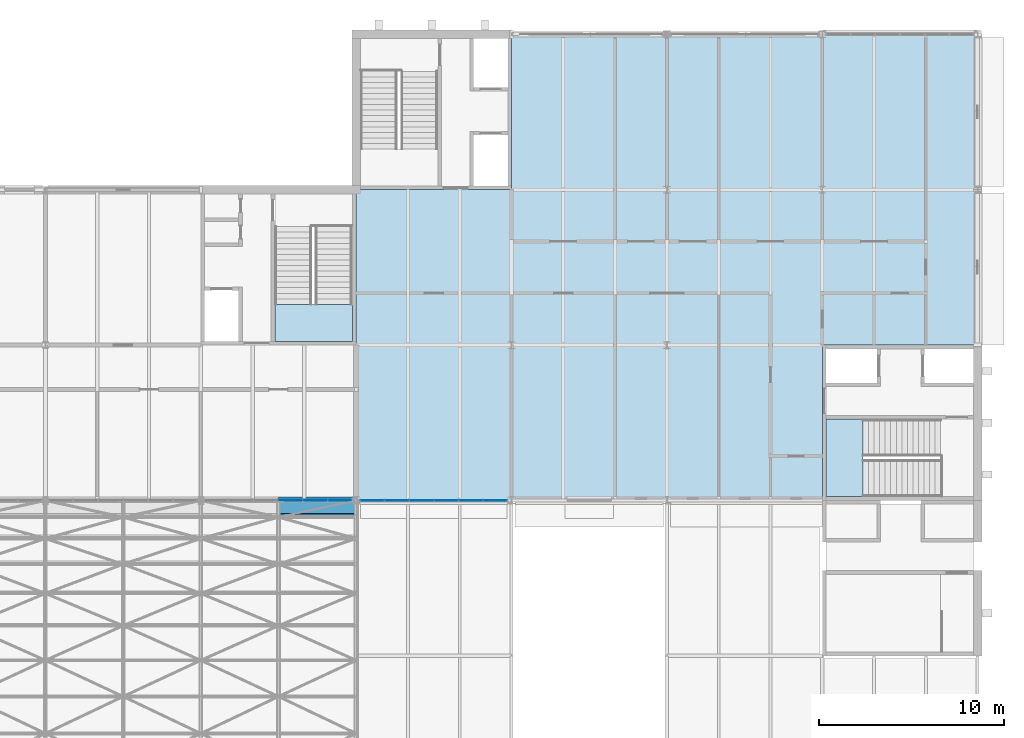
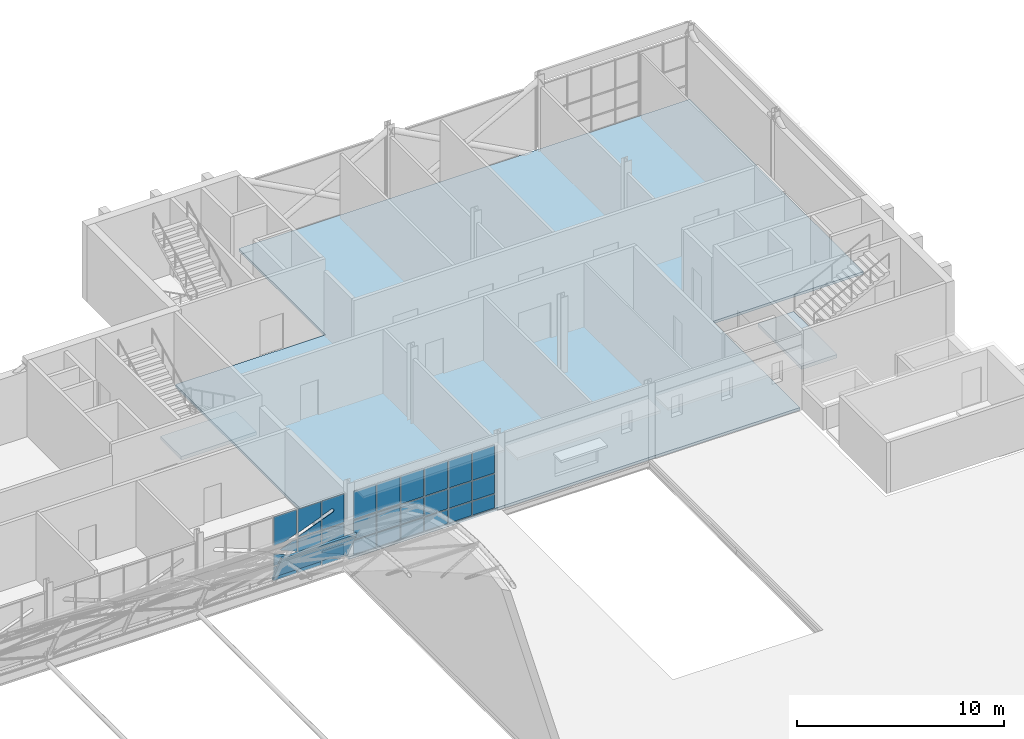
# One storey, part 79 of 121: 31 plates, 3 slabs, 4 elements without a shape of their own.
"""IFC4 building model written with IfcOpenShell, lengths in metres."""

from ifc_helpers import new_model, si_unit, direction, frame, origin, origin_2d, place, context, subcontext, project, spatial, polyline, rectangle, outline, extrude, material, layer, layer_set, type_object, element, aggregate, save


model = new_model("IFC4")

# Units and contexts
model_context = context("Model", 3, precision=1e-05, world=origin(), true_north=direction((0.0, 1.0)))
body_context = subcontext(model_context, "Body", "Model", "MODEL_VIEW")
ifc_project = project(units=[si_unit("LENGTHUNIT", "METRE"), si_unit("AREAUNIT", "SQUARE_METRE"), si_unit("VOLUMEUNIT", "CUBIC_METRE"), si_unit("PLANEANGLEUNIT", "RADIAN"), si_unit("MASSUNIT", "GRAM", prefix="KILO")], contexts=[model_context])

# Site, building, storey
site_placement = place(None, origin())
site = spatial("IfcSite", under=ifc_project, at=site_placement, CompositionType="ELEMENT")
building_placement = place(site_placement, origin())
building = spatial("IfcBuilding", under=site, at=building_placement, Name="Ardhachandra Cancer Care Centre", CompositionType="ELEMENT")
storey_placement = place(building_placement, frame((0.0, 0.0, 9.0)))
storey = spatial("IfcBuildingStorey", under=building, at=storey_placement, Name="L02", CompositionType="ELEMENT", Elevation=9.0)

# Slab
ifc_material_1 = material(Name="Composite slab Concrete M30 on steel deck", Category="concrete")
ifc_layer_1 = layer(ifc_material_1, 0.14990234375)
ifc_layer_set_1 = layer_set([ifc_layer_1], Name="Composite slab Concrete M30 on steel deck")
slab_type_1 = type_object("IfcSlabType", Name="Composite floor slab 150", PredefinedType="FLOOR", material=ifc_layer_set_1)
slab_1_placement = place(storey_placement, frame((0.0, 0.0, -0.14990234375)))
element("IfcSlab", 1, at=slab_1_placement, inside=storey, type_object=slab_type_1, Name="Floor slab V5", PredefinedType="FLOOR", context=body_context, shape_type="SweptSolid", body=[
    extrude(outline(polyline([(120.0, 105.0), (120.0, 96.60009765625), (111.60009765625, 96.60009765625), (111.60009765625, 88.199951171875), (111.60009765625, 79.922119140625), (111.60009765625, 79.800048828125), (136.800048828125, 79.800048828125), (136.800048828125, 88.199951171875), (145.199951171875, 88.199951171875), (145.199951171875, 105.0), (120.0, 105.0)])), origin(), (0.0, 0.0, 1.0), 0.14990234375),
])

# Curtain wall, plates
ifc_material_2 = material(Name="Aluminium extrusion", Category="aluminium")
ifc_layer_2 = layer(ifc_material_2, 0.14990234375)
ifc_layer_set_2 = layer_set([ifc_layer_2], Name="Aluminium extrusion")
curtain_wall_type = type_object("IfcCurtainWallType", Name="Curtain wall run", PredefinedType="NOTDEFINED", material=ifc_layer_set_2)
curtain_wall_1_placement = place(storey_placement, origin())
curtain_wall_1 = element("IfcCurtainWall", 2, at=curtain_wall_1_placement, inside=storey, type_object=curtain_wall_type, Name="Curtain wall L02 s/0103200_0079800", PredefinedType="NOTDEFINED")
ifc_material_3 = material(Name="Low-iron double-glazed unit")
ifc_layer_3 = layer(ifc_material_3, 0.028076171875)
ifc_layer_set_3 = layer_set([ifc_layer_3], Name="Low-iron double-glazed unit")
plate_type_1 = type_object("IfcPlateType", Name="Curtain wall glazing 28", PredefinedType="CURTAIN_PANEL", material=ifc_layer_set_3)
plate_1_placement = place(storey_placement, frame((107.40625, 79.800048828125, 0.06005859375), z_axis=(0.0, 1.0, 0.0), x_axis=(0.0, 0.0, 1.0)))
plate_1 = element("IfcPlate", 3, at=plate_1_placement, type_object=plate_type_1, Name="CW panel 4.1", PredefinedType="CURTAIN_PANEL", context=body_context, shape_type="SweptSolid", body=[
    extrude(outline(polyline([(0.0, 0.0), (0.81005859375, 0.0), (0.81005859375, 1.281982421875), (0.0, 1.281982421875), (0.0, 0.0)])), origin(), (0.0, 0.0, 1.0), 0.028076171875),
])
plate_2_placement = place(storey_placement, frame((108.688232421875, 79.800048828125, 0.929931640625), z_axis=(0.0, 1.0, 0.0), x_axis=(-1.0, 0.0, 0.0)))
plate_2 = element("IfcPlate", 4, at=plate_2_placement, type_object=plate_type_1, Name="CW panel 4.2", PredefinedType="CURTAIN_PANEL", context=body_context, shape_type="SweptSolid", body=[
    extrude(outline(polyline([(0.0, 0.0), (1.281982421875, 0.0), (1.281982421875, 0.72900390625), (0.0, 0.182861328125), (0.0, 0.0)])), origin(), (0.0, 0.0, 1.0), 0.028076171875),
])
plate_3_placement = place(storey_placement, frame((108.688232421875, 79.800048828125, 2.070068359375), z_axis=(0.0, 1.0, 0.0), x_axis=(0.0, 0.0, -1.0)))
plate_3 = element("IfcPlate", 5, at=plate_3_placement, type_object=plate_type_1, Name="CW panel 4.2", PredefinedType="CURTAIN_PANEL", context=body_context, shape_type="SweptSolid", body=[
    extrude(outline(polyline([(0.0, 0.0), (0.70263671875, 0.0), (0.285888671875, 0.97802734375), (0.0, 0.24462890625), (0.0, 0.0)])), frame((0.0, 0.0, -0.028076171875)), (0.0, 0.0, 1.0), 0.028076171875),
])
plate_4_placement = place(storey_placement, frame((107.40625, 79.800048828125, 2.1298828125), z_axis=(0.0, 1.0, 0.0), x_axis=(0.0, 0.0, 1.0)))
plate_4 = element("IfcPlate", 6, at=plate_4_placement, type_object=plate_type_1, Name="CW panel 4.3", PredefinedType="CURTAIN_PANEL", context=body_context, shape_type="SweptSolid", body=[
    extrude(outline(polyline([(0.0, 0.0), (1.696044921875, 0.0), (1.696044921875, 1.281982421875), (0.286865234375, 1.281982421875), (0.0, 0.546142578125), (0.0, 0.0)])), origin(), (0.0, 0.0, 1.0), 0.028076171875),
])
plate_5_placement = place(storey_placement, frame((110.030517578125, 79.800048828125, 0.06005859375), z_axis=(0.0, 1.0, 0.0), x_axis=(-1.0, 0.0, 0.0)))
plate_5 = element("IfcPlate", 7, at=plate_5_placement, type_object=plate_type_1, Name="CW panel 5.1", PredefinedType="CURTAIN_PANEL", context=body_context, shape_type="SweptSolid", body=[
    extrude(outline(polyline([(0.0, 0.0), (1.2822265625, 0.0), (1.2822265625, 0.81005859375), (0.77197265625, 0.81005859375), (0.0, 0.481201171875), (0.0, 0.0)])), origin(), (0.0, 0.0, 1.0), 0.028076171875),
])
plate_6_placement = place(storey_placement, frame((108.748291015625, 79.800048828125, 2.070068359375), z_axis=(0.0, 1.0, 0.0), x_axis=(1.0, 0.0, 0.0)))
plate_6 = element("IfcPlate", 8, at=plate_6_placement, type_object=plate_type_1, Name="CW panel 5.2", PredefinedType="CURTAIN_PANEL", context=body_context, shape_type="SweptSolid", body=[
    extrude(outline(polyline([(0.0, 0.0), (1.2822265625, 0.0), (1.2822265625, 1.14013671875), (0.96728515625, 1.14013671875), (0.0, 0.72802734375), (0.0, 0.0)])), origin(), (0.0, 0.0, 1.0), 0.028076171875),
])
plate_7_placement = place(storey_placement, frame((110.030517578125, 79.800048828125, 2.1298828125), z_axis=(0.0, 1.0, 0.0), x_axis=(-1.0, 0.0, 0.0)))
plate_7 = element("IfcPlate", 9, at=plate_7_placement, type_object=plate_type_1, Name="CW panel 5.3", PredefinedType="CURTAIN_PANEL", context=body_context, shape_type="SweptSolid", body=[
    extrude(outline(polyline([(0.0, 0.0), (1.2822265625, 0.0), (1.2822265625, 0.058837890625), (0.0, 0.55859375), (0.0, 0.0)])), origin(), (0.0, 0.0, 1.0), 0.028076171875),
])
plate_8_placement = place(storey_placement, frame((108.748291015625, 79.800048828125, 3.825927734375), z_axis=(0.0, 1.0, 0.0), x_axis=(1.0, 0.0, 0.0)))
plate_8 = element("IfcPlate", 10, at=plate_8_placement, type_object=plate_type_1, Name="CW panel 5.3", PredefinedType="CURTAIN_PANEL", context=body_context, shape_type="SweptSolid", body=[
    extrude(outline(polyline([(0.0, 0.0), (1.2822265625, 0.0), (1.2822265625, 0.885986328125), (0.0, 1.3857421875), (0.0, 0.0)])), frame((0.0, 0.0, -0.028076171875)), (0.0, 0.0, 1.0), 0.028076171875),
])
plate_9_placement = place(storey_placement, frame((110.09033203125, 79.800048828125, 0.8701171875), z_axis=(0.0, 1.0, 0.0), x_axis=(1.0, 0.0, 0.0)))
plate_9 = element("IfcPlate", 11, at=plate_9_placement, type_object=plate_type_1, Name="CW panel 6.1", PredefinedType="CURTAIN_PANEL", context=body_context, shape_type="SweptSolid", body=[
    extrude(outline(polyline([(0.0, 0.0), (1.252197265625, 0.0), (1.252197265625, 0.633056640625), (0.0, 0.099853515625), (0.0, 0.0)])), origin(), (0.0, 0.0, 1.0), 0.028076171875),
])
plate_10_placement = place(storey_placement, frame((110.09033203125, 79.800048828125, 0.06005859375), z_axis=(0.0, 1.0, 0.0), x_axis=(0.0, 0.0, 1.0)))
plate_10 = element("IfcPlate", 12, at=plate_10_placement, type_object=plate_type_1, Name="CW panel 6.1", PredefinedType="CURTAIN_PANEL", context=body_context, shape_type="SweptSolid", body=[
    extrude(outline(polyline([(0.0, 0.0), (0.45556640625, 0.0), (0.0, 1.06982421875), (0.0, 0.0)])), frame((0.0, 0.0, -0.028076171875)), (0.0, 0.0, 1.0), 0.028076171875),
])
plate_11_placement = place(storey_placement, frame((110.09033203125, 79.800048828125, 0.929931640625), z_axis=(0.0, 1.0, 0.0), x_axis=(0.0, 0.0, 1.0)))
plate_11 = element("IfcPlate", 13, at=plate_11_placement, type_object=plate_type_1, Name="CW panel 6.2", PredefinedType="CURTAIN_PANEL", context=body_context, shape_type="SweptSolid", body=[
    extrude(outline(polyline([(0.0, 0.0), (1.14013671875, 0.0), (1.14013671875, 1.252197265625), (0.0, 1.252197265625), (0.0, 0.0)])), origin(), (0.0, 0.0, 1.0), 0.028076171875),
])
plate_12_placement = place(storey_placement, frame((110.09033203125, 79.800048828125, 3.825927734375), z_axis=(0.0, 1.0, 0.0), x_axis=(1.0, 0.0, 0.0)))
plate_12 = element("IfcPlate", 14, at=plate_12_placement, type_object=plate_type_1, Name="CW panel 6.3", PredefinedType="CURTAIN_PANEL", context=body_context, shape_type="SweptSolid", body=[
    extrude(outline(polyline([(0.0, 0.0), (1.252197265625, 0.0), (1.252197265625, 1.696044921875), (0.0, 1.696044921875), (0.0, 1.114013671875), (0.61181640625, 0.875), (0.6396484375, 0.855224609375), (0.660888671875, 0.827880859375), (0.673095703125, 0.7958984375), (0.67578125, 0.77294921875), (0.674072265625, 0.750244140625), (0.667724609375, 0.72802734375), (0.657470703125, 0.70751953125), (0.634765625, 0.681640625), (0.615966796875, 0.66845703125), (0.594970703125, 0.6591796875), (0.572509765625, 0.654296875), (0.538330078125, 0.6552734375), (0.51611328125, 0.661376953125), (0.0, 0.862548828125), (0.0, 0.0)])), origin(), (0.0, 0.0, 1.0), 0.028076171875),
])
aggregate(curtain_wall_1, [plate_1, plate_2, plate_3, plate_4, plate_5, plate_6, plate_7, plate_8, plate_9, plate_10, plate_11, plate_12])

curtain_wall_2_placement = place(storey_placement, origin())
curtain_wall_2 = element("IfcCurtainWall", 15, at=curtain_wall_2_placement, inside=storey, type_object=curtain_wall_type, Name="Curtain wall L02 s/0111600_0079800", PredefinedType="NOTDEFINED")
plate_13_placement = place(storey_placement, frame((112.4794921875, 79.800048828125, 0.93017578125), z_axis=(0.0, 0.0, 1.0), x_axis=(1.0, 0.0, 0.0)))
plate_13 = element("IfcPlate", 16, at=plate_13_placement, type_object=plate_type_1, Name="CW panel 1.2", PredefinedType="CURTAIN_PANEL", context=body_context, shape_type="SweptSolid", body=[
    extrude(rectangle(XDim=1.244140625, YDim=0.028076171875, at=origin_2d()), origin(), (0.0, 0.0, 1.0), 1.139892578125),
])
plate_14_placement = place(storey_placement, frame((112.4794921875, 79.800048828125, 2.1298828125), z_axis=(0.0, 0.0, 1.0), x_axis=(1.0, 0.0, 0.0)))
plate_14 = element("IfcPlate", 17, at=plate_14_placement, type_object=plate_type_1, Name="CW panel 1.3", PredefinedType="CURTAIN_PANEL", context=body_context, shape_type="SweptSolid", body=[
    extrude(rectangle(XDim=1.244140625, YDim=0.028076171875, at=origin_2d()), origin(), (0.0, 0.0, 1.0), 1.659912109375),
])
plate_15_placement = place(storey_placement, frame((113.798828125, 79.800048828125, 0.93017578125), z_axis=(0.0, 0.0, 1.0), x_axis=(1.0, 0.0, 0.0)))
plate_15 = element("IfcPlate", 18, at=plate_15_placement, type_object=plate_type_1, Name="CW panel 2.2", PredefinedType="CURTAIN_PANEL", context=body_context, shape_type="SweptSolid", body=[
    extrude(rectangle(XDim=1.274169921875, YDim=0.028076171875, at=origin_2d()), origin(), (0.0, 0.0, 1.0), 1.139892578125),
])
plate_16_placement = place(storey_placement, frame((113.798828125, 79.800048828125, 2.1298828125), z_axis=(0.0, 0.0, 1.0), x_axis=(1.0, 0.0, 0.0)))
plate_16 = element("IfcPlate", 19, at=plate_16_placement, type_object=plate_type_1, Name="CW panel 2.3", PredefinedType="CURTAIN_PANEL", context=body_context, shape_type="SweptSolid", body=[
    extrude(rectangle(XDim=1.274169921875, YDim=0.028076171875, at=origin_2d()), origin(), (0.0, 0.0, 1.0), 1.659912109375),
])
plate_17_placement = place(storey_placement, frame((115.1328125, 79.800048828125, 0.93017578125), z_axis=(0.0, 0.0, 1.0), x_axis=(1.0, 0.0, 0.0)))
plate_17 = element("IfcPlate", 20, at=plate_17_placement, type_object=plate_type_1, Name="CW panel 3.2", PredefinedType="CURTAIN_PANEL", context=body_context, shape_type="SweptSolid", body=[
    extrude(rectangle(XDim=1.274169921875, YDim=0.028076171875, at=origin_2d()), origin(), (0.0, 0.0, 1.0), 1.139892578125),
])
plate_18_placement = place(storey_placement, frame((115.1328125, 79.800048828125, 2.1298828125), z_axis=(0.0, 0.0, 1.0), x_axis=(1.0, 0.0, 0.0)))
plate_18 = element("IfcPlate", 21, at=plate_18_placement, type_object=plate_type_1, Name="CW panel 3.3", PredefinedType="CURTAIN_PANEL", context=body_context, shape_type="SweptSolid", body=[
    extrude(rectangle(XDim=1.274169921875, YDim=0.028076171875, at=origin_2d()), origin(), (0.0, 0.0, 1.0), 1.659912109375),
])
plate_19_placement = place(storey_placement, frame((116.467041015625, 79.800048828125, 0.93017578125), z_axis=(0.0, 0.0, 1.0), x_axis=(1.0, 0.0, 0.0)))
plate_19 = element("IfcPlate", 22, at=plate_19_placement, type_object=plate_type_1, Name="CW panel 4.2", PredefinedType="CURTAIN_PANEL", context=body_context, shape_type="SweptSolid", body=[
    extrude(rectangle(XDim=1.274169921875, YDim=0.028076171875, at=origin_2d()), origin(), (0.0, 0.0, 1.0), 1.139892578125),
])
plate_20_placement = place(storey_placement, frame((116.467041015625, 79.800048828125, 2.1298828125), z_axis=(0.0, 0.0, 1.0), x_axis=(1.0, 0.0, 0.0)))
plate_20 = element("IfcPlate", 23, at=plate_20_placement, type_object=plate_type_1, Name="CW panel 4.3", PredefinedType="CURTAIN_PANEL", context=body_context, shape_type="SweptSolid", body=[
    extrude(rectangle(XDim=1.274169921875, YDim=0.028076171875, at=origin_2d()), origin(), (0.0, 0.0, 1.0), 1.659912109375),
])
plate_21_placement = place(storey_placement, frame((117.80126953125, 79.800048828125, 0.93017578125), z_axis=(0.0, 0.0, 1.0), x_axis=(1.0, 0.0, 0.0)))
plate_21 = element("IfcPlate", 24, at=plate_21_placement, type_object=plate_type_1, Name="CW panel 5.2", PredefinedType="CURTAIN_PANEL", context=body_context, shape_type="SweptSolid", body=[
    extrude(rectangle(XDim=1.274169921875, YDim=0.028076171875, at=origin_2d()), origin(), (0.0, 0.0, 1.0), 1.139892578125),
])
plate_22_placement = place(storey_placement, frame((117.80126953125, 79.800048828125, 2.1298828125), z_axis=(0.0, 0.0, 1.0), x_axis=(1.0, 0.0, 0.0)))
plate_22 = element("IfcPlate", 25, at=plate_22_placement, type_object=plate_type_1, Name="CW panel 5.3", PredefinedType="CURTAIN_PANEL", context=body_context, shape_type="SweptSolid", body=[
    extrude(rectangle(XDim=1.274169921875, YDim=0.028076171875, at=origin_2d()), origin(), (0.0, 0.0, 1.0), 1.659912109375),
])
plate_23_placement = place(storey_placement, frame((119.120361328125, 79.800048828125, 0.93017578125), z_axis=(0.0, 0.0, 1.0), x_axis=(1.0, 0.0, 0.0)))
plate_23 = element("IfcPlate", 26, at=plate_23_placement, type_object=plate_type_1, Name="CW panel 6.2", PredefinedType="CURTAIN_PANEL", context=body_context, shape_type="SweptSolid", body=[
    extrude(rectangle(XDim=1.244140625, YDim=0.028076171875, at=origin_2d()), origin(), (0.0, 0.0, 1.0), 1.139892578125),
])
plate_24_placement = place(storey_placement, frame((119.120361328125, 79.800048828125, 2.1298828125), z_axis=(0.0, 0.0, 1.0), x_axis=(1.0, 0.0, 0.0)))
plate_24 = element("IfcPlate", 27, at=plate_24_placement, type_object=plate_type_1, Name="CW panel 6.3", PredefinedType="CURTAIN_PANEL", context=body_context, shape_type="SweptSolid", body=[
    extrude(rectangle(XDim=1.244140625, YDim=0.028076171875, at=origin_2d()), origin(), (0.0, 0.0, 1.0), 1.659912109375),
])
ifc_material_4 = material(Name="Aluminium composite spandrel panel", Category="aluminium")
ifc_layer_4 = layer(ifc_material_4, 0.028076171875)
ifc_layer_set_4 = layer_set([ifc_layer_4], Name="Aluminium composite spandrel panel")
plate_type_2 = type_object("IfcPlateType", Name="Curtain wall spandrel panel 28", PredefinedType="CURTAIN_PANEL", material=ifc_layer_set_4)
plate_25_placement = place(storey_placement, frame((112.4794921875, 79.800048828125, 0.06005859375), z_axis=(0.0, 0.0, 1.0), x_axis=(1.0, 0.0, 0.0)))
plate_25 = element("IfcPlate", 28, at=plate_25_placement, type_object=plate_type_2, Name="CW panel 1.1", PredefinedType="CURTAIN_PANEL", context=body_context, shape_type="SweptSolid", body=[
    extrude(rectangle(XDim=1.244140625, YDim=0.028076171875, at=origin_2d()), origin(), (0.0, 0.0, 1.0), 0.81005859375),
])
plate_26_placement = place(storey_placement, frame((113.798828125, 79.800048828125, 0.06005859375), z_axis=(0.0, 0.0, 1.0), x_axis=(1.0, 0.0, 0.0)))
plate_26 = element("IfcPlate", 29, at=plate_26_placement, type_object=plate_type_2, Name="CW panel 2.1", PredefinedType="CURTAIN_PANEL", context=body_context, shape_type="SweptSolid", body=[
    extrude(rectangle(XDim=1.274169921875, YDim=0.028076171875, at=origin_2d()), origin(), (0.0, 0.0, 1.0), 0.81005859375),
])
plate_27_placement = place(storey_placement, frame((115.1328125, 79.800048828125, 0.06005859375), z_axis=(0.0, 0.0, 1.0), x_axis=(1.0, 0.0, 0.0)))
plate_27 = element("IfcPlate", 30, at=plate_27_placement, type_object=plate_type_2, Name="CW panel 3.1", PredefinedType="CURTAIN_PANEL", context=body_context, shape_type="SweptSolid", body=[
    extrude(rectangle(XDim=1.274169921875, YDim=0.028076171875, at=origin_2d()), origin(), (0.0, 0.0, 1.0), 0.81005859375),
])
plate_28_placement = place(storey_placement, frame((116.467041015625, 79.800048828125, 0.06005859375), z_axis=(0.0, 0.0, 1.0), x_axis=(1.0, 0.0, 0.0)))
plate_28 = element("IfcPlate", 31, at=plate_28_placement, type_object=plate_type_2, Name="CW panel 4.1", PredefinedType="CURTAIN_PANEL", context=body_context, shape_type="SweptSolid", body=[
    extrude(rectangle(XDim=1.274169921875, YDim=0.028076171875, at=origin_2d()), origin(), (0.0, 0.0, 1.0), 0.81005859375),
])
plate_29_placement = place(storey_placement, frame((117.80126953125, 79.800048828125, 0.06005859375), z_axis=(0.0, 0.0, 1.0), x_axis=(1.0, 0.0, 0.0)))
plate_29 = element("IfcPlate", 32, at=plate_29_placement, type_object=plate_type_2, Name="CW panel 5.1", PredefinedType="CURTAIN_PANEL", context=body_context, shape_type="SweptSolid", body=[
    extrude(rectangle(XDim=1.274169921875, YDim=0.028076171875, at=origin_2d()), origin(), (0.0, 0.0, 1.0), 0.81005859375),
])
plate_30_placement = place(storey_placement, frame((119.120361328125, 79.800048828125, 0.06005859375), z_axis=(0.0, 0.0, 1.0), x_axis=(1.0, 0.0, 0.0)))
plate_30 = element("IfcPlate", 33, at=plate_30_placement, type_object=plate_type_2, Name="CW panel 6.1", PredefinedType="CURTAIN_PANEL", context=body_context, shape_type="SweptSolid", body=[
    extrude(rectangle(XDim=1.244140625, YDim=0.028076171875, at=origin_2d()), origin(), (0.0, 0.0, 1.0), 0.81005859375),
])
aggregate(curtain_wall_2, [plate_25, plate_13, plate_14, plate_26, plate_15, plate_16, plate_27, plate_17, plate_18, plate_28, plate_19, plate_20, plate_29, plate_21, plate_22, plate_30, plate_23, plate_24])

# Plate
ifc_material_5 = material(Name="Insulated metal roof panel (galvalume skins, PIR core)")
ifc_layer_5 = layer(ifc_material_5, 0.10009765625)
ifc_layer_set_5 = layer_set([ifc_layer_5], Name="Insulated metal roof panel (galvalume skins, PIR core)")
plate_type_3 = type_object("IfcPlateType", Name="Gridshell insulated panel 100", PredefinedType="SHEET", material=ifc_layer_set_5)
plate_31_placement = place(storey_placement, frame((107.39990234375, 79.004150390625, 1.843994140625), z_axis=(0.0, 0.892298140355, 0.451446595645), x_axis=(1.0, 0.0, 0.0)))
element("IfcPlate", 34, at=plate_31_placement, inside=storey, type_object=plate_type_3, Name="Roof cell H 16.16", PredefinedType="SHEET", context=body_context, shape_type="SweptSolid", body=[
    extrude(outline(polyline([(0.0, 0.0), (4.2001953125, 0.0), (4.2001953125, 2.004638671875), (0.0, 2.004638671875), (0.0, 0.0)])), origin(), (0.0, 0.0, 1.0), 0.10009765625),
])

# Stair, slab
ifc_material_6 = material(Name="Concrete M40", Category="concrete")
stair_type = type_object("IfcStairType", Name="Dog-leg stair 2000", PredefinedType="HALF_TURN_STAIR", material=ifc_material_6)
stair_1_placement = place(storey_placement, origin())
stair_1 = element("IfcStair", 35, at=stair_1_placement, inside=storey, type_object=stair_type, Name="Stair K7 L02-L03", PredefinedType="HALF_TURN_STAIR")
ifc_material_7 = material(Name="Concrete M40", Category="concrete")
ifc_layer_6 = layer(ifc_material_7, 0.199951171875)
ifc_layer_set_6 = layer_set([ifc_layer_6], Name="Concrete M40")
slab_type_2 = type_object("IfcSlabType", Name="Stair landing 200", PredefinedType="LANDING", material=ifc_layer_set_6)
slab_2_placement = place(storey_placement, frame((0.0, 0.0, 2.050048828125)))
slab_2 = element("IfcSlab", 36, at=slab_2_placement, type_object=slab_type_2, Name="stair K7 L02-L03 landing 1", PredefinedType="LANDING", context=body_context, shape_type="SweptSolid", body=[
    extrude(outline(polyline([(107.199951171875, 88.39990234375), (111.39990234375, 88.39990234375), (111.39990234375, 90.39990234375), (107.199951171875, 90.39990234375), (107.199951171875, 88.39990234375)])), origin(), (0.0, 0.0, 1.0), 0.199951171875),
])
aggregate(stair_1, [slab_2])

stair_2_placement = place(storey_placement, origin())
stair_2 = element("IfcStair", 37, at=stair_2_placement, inside=storey, type_object=stair_type, Name="Stair K13 L02-L03", PredefinedType="HALF_TURN_STAIR")
slab_3_placement = place(storey_placement, frame((0.0, 0.0, 2.050048828125)))
slab_3 = element("IfcSlab", 38, at=slab_3_placement, type_object=slab_type_2, Name="stair K13 L02-L03 landing 1", PredefinedType="LANDING", context=body_context, shape_type="SweptSolid", body=[
    extrude(outline(polyline([(137.0, 80.0), (139.0, 80.0), (139.0, 84.199951171875), (137.0, 84.199951171875), (137.0, 80.0)])), origin(), (0.0, 0.0, 1.0), 0.199951171875),
])
aggregate(stair_2, [slab_3])

save(model, "model.ifc")
